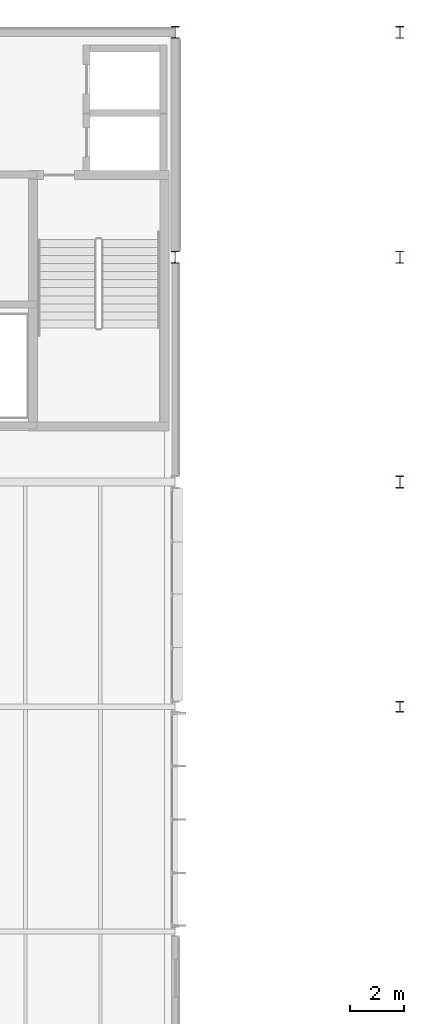
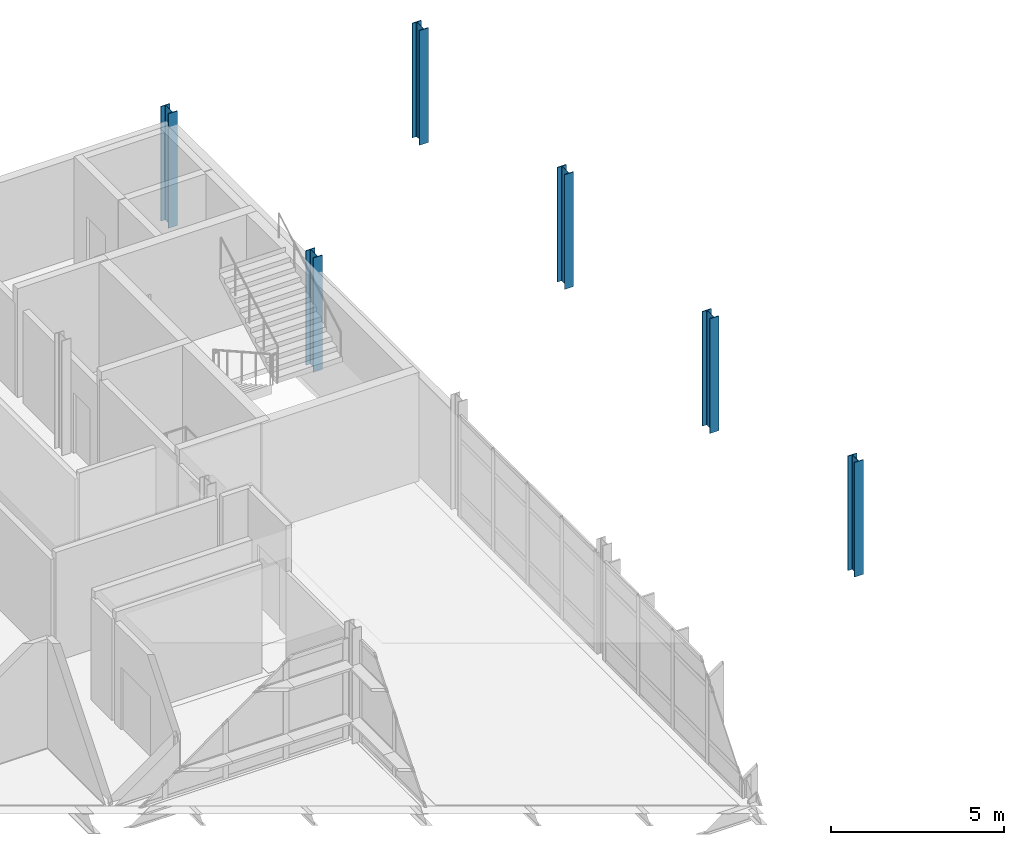
# One storey, part 12 of 103: 6 columns.
"""IFC4 building model written with IfcOpenShell, lengths in metres."""

from ifc_helpers import new_model, si_unit, direction, frame, origin, origin_2d, place, context, subcontext, project, spatial, i_section, extrude, material, material_profile, profile_set, type_object, element, save


model = new_model("IFC4")

# Units and contexts
model_context = context("Model", 3, precision=1e-05, world=origin(), true_north=direction((0.0, 1.0)))
body_context = subcontext(model_context, "Body", "Model", "MODEL_VIEW")
ifc_project = project(units=[si_unit("LENGTHUNIT", "METRE"), si_unit("AREAUNIT", "SQUARE_METRE"), si_unit("VOLUMEUNIT", "CUBIC_METRE"), si_unit("PLANEANGLEUNIT", "RADIAN"), si_unit("MASSUNIT", "GRAM", prefix="KILO")], contexts=[model_context])

# Site, building, storey
site_placement = place(None, origin())
site = spatial("IfcSite", under=ifc_project, at=site_placement, CompositionType="ELEMENT")
building_placement = place(site_placement, origin())
building = spatial("IfcBuilding", under=site, at=building_placement, Name="Mersafa Astral City Hall", CompositionType="ELEMENT")
storey_placement = place(building_placement, frame((0.0, 0.0, 18.0)))
storey = spatial("IfcBuildingStorey", under=building, at=storey_placement, Name="L04", CompositionType="ELEMENT", Elevation=18.0)

# Columns
ifc_material = material(Name="Steel S355", Category="steel")
ifc_material_profile_1 = material_profile(ifc_material, i_section(OverallWidth=0.300048828125, OverallDepth=0.39990234375, WebThickness=0.013427734375, FlangeThickness=0.02392578125, FilletRadius=0.027099609375, at=origin_2d()), Name="HEB 400")
ifc_profile_set_1 = profile_set([ifc_material_profile_1], Name="Steel S355")
column_type_1 = type_object("IfcColumnType", Name="STR-COL-HEB400", PredefinedType="COLUMN", material=ifc_profile_set_1)
column_placement = place(storey_placement, frame((184.800048828125, 100.800048828125, 0.0), z_axis=(0.0, 0.0, 1.0), x_axis=(1.0, 0.0, 0.0)))
element("IfcColumn", 1, at=column_placement, inside=storey, type_object=column_type_1, Name="L04 Structural column G-22-12", PredefinedType="COLUMN", context=body_context, shape_type="SweptSolid", body=[
    extrude(i_section(OverallWidth=0.300048828125, OverallDepth=0.39990234375, WebThickness=0.013427734375, FlangeThickness=0.02392578125, FilletRadius=0.027099609375, at=origin_2d()), origin(), (0.0, 0.0, 1.0), 4.050048828125),
])
ifc_material_profile_2 = material_profile(ifc_material, i_section(OverallWidth=0.300048828125, OverallDepth=0.449951171875, WebThickness=0.013916015625, FlangeThickness=0.02587890625, FilletRadius=0.027099609375, at=origin_2d()), Name="HEB 450")
ifc_profile_set_2 = profile_set([ifc_material_profile_2], Name="Steel S355")
column_type_2 = type_object("IfcColumnType", Name="STR-COL-HEB450", PredefinedType="COLUMN", material=ifc_profile_set_2)
for number, where, z_axis, x_axis, name in (
    (2, (176.39990234375, 117.60009765625, 0.0), (0.0, 0.0, 1.0), (1.0, 0.0, 0.0), "L04 Structural column G-21-14"),
    (3, (176.39990234375, 126.0, 0.0), (0.0, 0.0, 1.0), (1.0, 0.0, 0.0), "L04 Structural column G-21-15"),
    (4, (184.800048828125, 109.199951171875, 0.0), (0.0, 0.0, 1.0), (1.0, 0.0, 0.0), "L04 Structural column G-22-13"),
    (5, (184.800048828125, 117.60009765625, 0.0), (0.0, 0.0, 1.0), (1.0, 0.0, 0.0), "L04 Structural column G-22-14"),
    (6, (184.800048828125, 126.0, 0.0), (0.0, 0.0, 1.0), (1.0, 0.0, 0.0), "L04 Structural column G-22-15"),
):
    element("IfcColumn", number, at=place(storey_placement, frame(where, z_axis=z_axis, x_axis=x_axis)), inside=storey, type_object=column_type_2, Name=name, PredefinedType="COLUMN", context=body_context, shape_type="SweptSolid", body=[
        extrude(i_section(OverallWidth=0.300048828125, OverallDepth=0.449951171875, WebThickness=0.013916015625, FlangeThickness=0.02587890625, FilletRadius=0.027099609375, at=origin_2d()), origin(), (0.0, 0.0, 1.0), 4.050048828125),
    ])

save(model, "model.ifc")
